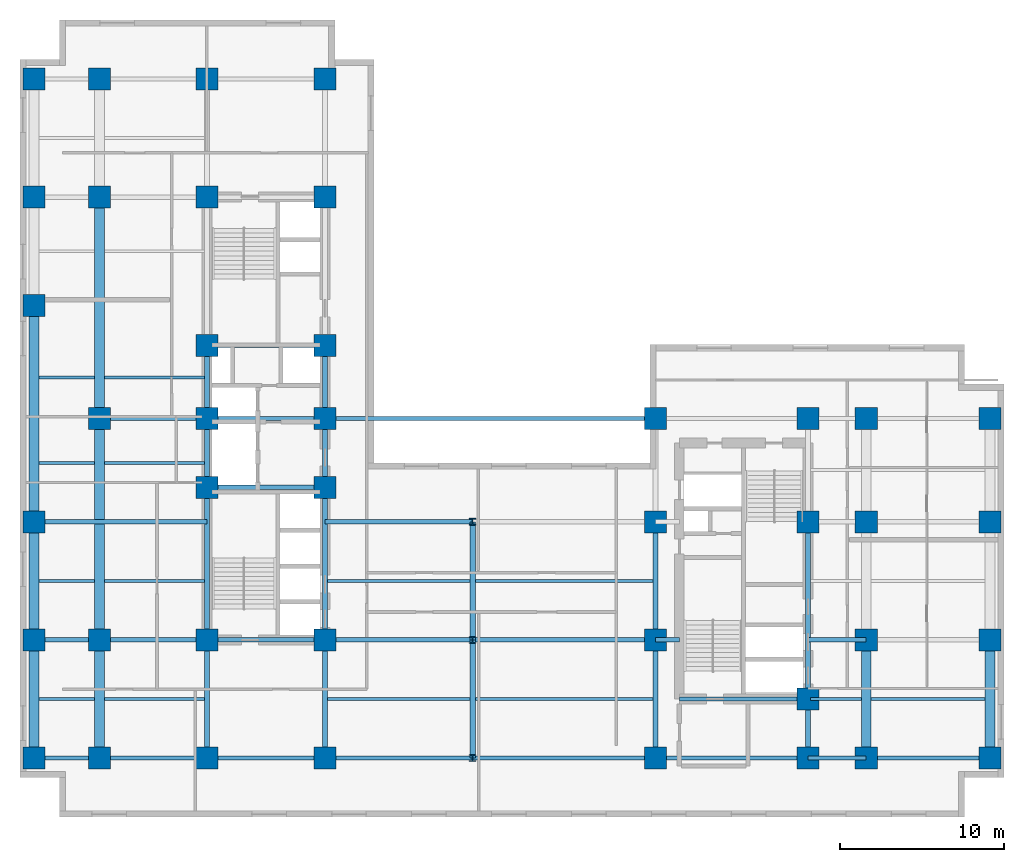
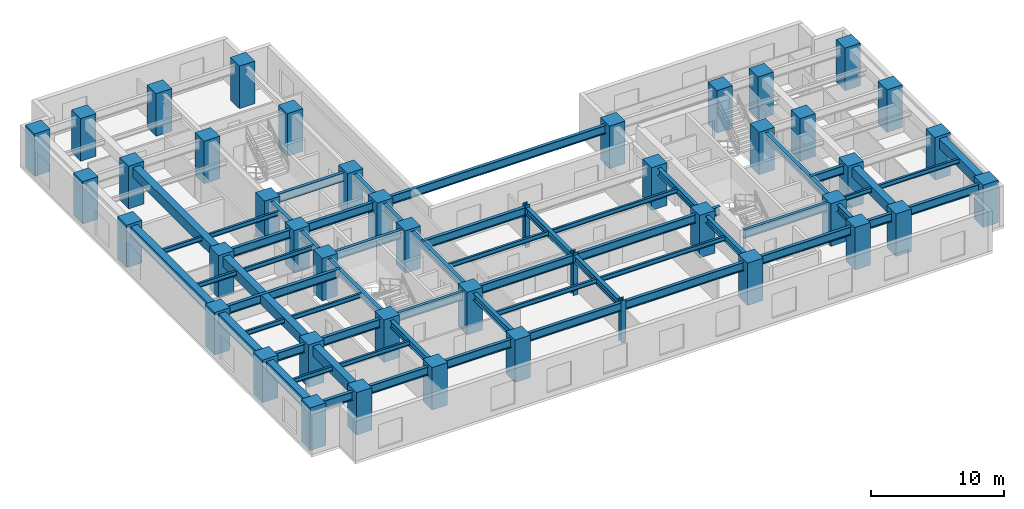
# One storey, part 1 of 9: 59 beams, 44 columns.
"""IFC4 building model written with IfcOpenShell, lengths in metres."""

from ifc_helpers import new_model, entity, si_unit, converted_unit, direction, frame, origin_with_axes, origin_2d_with_axis, place, context, subcontext, project, spatial, rectangle, i_section, extrude, material, material_profile, profile_set, type_object, element, save


model = new_model("IFC4")

# Units and contexts
model_context = context("Model", 3, precision=1e-05, world=origin_with_axes(), true_north=direction((0.0, 1.0)))
body_context = subcontext(model_context, "Body", "Model", "MODEL_VIEW")
ifc_project = project(units=[si_unit("LENGTHUNIT", "METRE"), si_unit("AREAUNIT", "SQUARE_METRE"), si_unit("VOLUMEUNIT", "CUBIC_METRE"), converted_unit("PLANEANGLEUNIT", "DEGREE", entity("IfcPlaneAngleMeasure", 0.017453292519943295), si_unit("PLANEANGLEUNIT", "RADIAN"), dimensions=[0, 0, 0, 0, 0, 0, 0]), si_unit("MASSUNIT", "GRAM", prefix="KILO"), si_unit("THERMODYNAMICTEMPERATUREUNIT", "KELVIN")], contexts=[model_context])

# Site, building, storey
site_placement = place(None, origin_with_axes())
site = spatial("IfcSite", under=ifc_project, at=site_placement, CompositionType="ELEMENT")
building_placement = place(site_placement, origin_with_axes())
building = spatial("IfcBuilding", under=site, at=building_placement, Name="Varnlund Millrace Tower", CompositionType="ELEMENT")
storey_placement = place(building_placement, frame((0.0, 0.0, 36.6), z_axis=(0.0, 0.0, 1.0), x_axis=(1.0, 0.0, 0.0)))
storey = spatial("IfcBuildingStorey", under=building, at=storey_placement, Name="L08", CompositionType="ELEMENT", Elevation=36.6)

# Columns
ifc_material_1 = material(Name="Steel ASTM A913 Grade 65", Category="steel")
ifc_material_profile_1 = material_profile(ifc_material_1, i_section(OverallWidth=0.406, OverallDepth=0.416, WebThickness=0.0298, FlangeThickness=0.048, FilletRadius=0.022, at=origin_2d_with_axis()), Name="Steel ASTM A913 Grade 65")
ifc_profile_set_1 = profile_set([ifc_material_profile_1], Name="Steel ASTM A913 Grade 65")
column_type_1 = type_object("IfcColumnType", Name="Type-Col-Int-W14X257", PredefinedType="COLUMN", material=ifc_profile_set_1)
for number, where, z_axis, x_axis, name in (
    (1, (27.6, 3.6, 0.0), (0.0, 0.0, 1.0), (1.0, 0.0, 0.0), "Type-Col-Int-W14X257"),
    (2, (27.6, 10.8, 0.0), (0.0, 0.0, 1.0), (1.0, 0.0, 0.0), "Type-Col-Int-W14X257"),
    (3, (27.6, 18.0, 0.0), (0.0, 0.0, 1.0), (1.0, 0.0, 0.0), "Type-Col-Int-W14X257"),
):
    element("IfcColumn", number, at=place(storey_placement, frame(where, z_axis=z_axis, x_axis=x_axis)), inside=storey, type_object=column_type_1, Name=name, PredefinedType="COLUMN", context=body_context, shape_type="SweptSolid", body=[
        extrude(i_section(OverallWidth=0.406, OverallDepth=0.416, WebThickness=0.0298, FlangeThickness=0.048, FilletRadius=0.022, at=origin_2d_with_axis()), origin_with_axes(), (0.0, 0.0, 1.0), 3.9),
    ])
ifc_material_2 = material(Name="Concrete C80/95", Category="concrete")
ifc_material_profile_2 = material_profile(ifc_material_2, rectangle(XDim=1.35, YDim=1.35, at=origin_2d_with_axis()), Name="Concrete C80/95")
ifc_profile_set_2 = profile_set([ifc_material_profile_2], Name="Concrete C80/95")
column_type_2 = type_object("IfcColumnType", Name="Type-Col-RC1350-C80", PredefinedType="COLUMN", material=ifc_profile_set_2)
for number, where, z_axis, x_axis, name in (
    (4, (11.4, 3.6, 0.0), (0.0, 0.0, 1.0), (1.0, 0.0, 0.0), "Type-Col-RC1350-C80"),
    (5, (11.4, 10.8, 0.0), (0.0, 0.0, 1.0), (1.0, 0.0, 0.0), "Type-Col-RC1350-C80"),
    (6, (11.4, 20.1, 0.0), (0.0, 0.0, 1.0), (1.0, 0.0, 0.0), "Type-Col-RC1350-C80"),
    (7, (11.4, 24.3, 0.0), (0.0, 0.0, 1.0), (1.0, 0.0, 0.0), "Type-Col-RC1350-C80"),
    (8, (11.4, 28.75, 0.0), (0.0, 0.0, 1.0), (1.0, 0.0, 0.0), "Type-Col-RC1350-C80"),
    (9, (11.4, 37.8, 0.0), (0.0, 0.0, 1.0), (1.0, 0.0, 0.0), "Type-Col-RC1350-C80"),
    (10, (11.4, 45.0, 0.0), (0.0, 0.0, 1.0), (1.0, 0.0, 0.0), "Type-Col-RC1350-C80"),
    (11, (18.6, 3.6, 0.0), (0.0, 0.0, 1.0), (1.0, 0.0, 0.0), "Type-Col-RC1350-C80"),
    (12, (18.6, 10.8, 0.0), (0.0, 0.0, 1.0), (1.0, 0.0, 0.0), "Type-Col-RC1350-C80"),
    (13, (18.6, 20.1, 0.0), (0.0, 0.0, 1.0), (1.0, 0.0, 0.0), "Type-Col-RC1350-C80"),
    (14, (18.6, 24.3, 0.0), (0.0, 0.0, 1.0), (1.0, 0.0, 0.0), "Type-Col-RC1350-C80"),
    (15, (18.6, 28.75, 0.0), (0.0, 0.0, 1.0), (1.0, 0.0, 0.0), "Type-Col-RC1350-C80"),
    (16, (18.6, 37.8, 0.0), (0.0, 0.0, 1.0), (1.0, 0.0, 0.0), "Type-Col-RC1350-C80"),
    (17, (18.6, 45.0, 0.0), (0.0, 0.0, 1.0), (1.0, 0.0, 0.0), "Type-Col-RC1350-C80"),
    (18, (4.85, 3.6, 0.0), (0.0, 0.0, 1.0), (1.0, 0.0, 0.0), "Type-Col-RC1350-C80"),
    (19, (4.85, 10.8, 0.0), (0.0, 0.0, 1.0), (1.0, 0.0, 0.0), "Type-Col-RC1350-C80"),
    (20, (4.85, 24.3, 0.0), (0.0, 0.0, 1.0), (1.0, 0.0, 0.0), "Type-Col-RC1350-C80"),
    (21, (4.85, 37.8, 0.0), (0.0, 0.0, 1.0), (1.0, 0.0, 0.0), "Type-Col-RC1350-C80"),
    (22, (4.85, 45.0, 0.0), (0.0, 0.0, 1.0), (1.0, 0.0, 0.0), "Type-Col-RC1350-C80"),
    (23, (0.85, 3.6, 0.0), (0.0, 0.0, 1.0), (1.0, 0.0, 0.0), "Type-Col-RC1350-C80"),
    (24, (0.85, 10.8, 0.0), (0.0, 0.0, 1.0), (1.0, 0.0, 0.0), "Type-Col-RC1350-C80"),
    (25, (0.85, 18.0, 0.0), (0.0, 0.0, 1.0), (1.0, 0.0, 0.0), "Type-Col-RC1350-C80"),
    (26, (0.85, 31.2, 0.0), (0.0, 0.0, 1.0), (1.0, 0.0, 0.0), "Type-Col-RC1350-C80"),
    (27, (0.85, 37.8, 0.0), (0.0, 0.0, 1.0), (1.0, 0.0, 0.0), "Type-Col-RC1350-C80"),
    (28, (0.85, 45.0, 0.0), (0.0, 0.0, 1.0), (1.0, 0.0, 0.0), "Type-Col-RC1350-C80"),
    (29, (38.75, 3.6, 0.0), (0.0, 0.0, 1.0), (1.0, 0.0, 0.0), "Type-Col-RC1350-C80"),
    (30, (38.75, 10.8, 0.0), (0.0, 0.0, 1.0), (1.0, 0.0, 0.0), "Type-Col-RC1350-C80"),
    (31, (38.75, 18.0, 0.0), (0.0, 0.0, 1.0), (1.0, 0.0, 0.0), "Type-Col-RC1350-C80"),
    (32, (38.75, 24.3, 0.0), (0.0, 0.0, 1.0), (1.0, 0.0, 0.0), "Type-Col-RC1350-C80"),
    (33, (48.05, 3.6, 0.0), (0.0, 0.0, 1.0), (1.0, 0.0, 0.0), "Type-Col-RC1350-C80"),
    (34, (48.05, 7.2, 0.0), (0.0, 0.0, 1.0), (1.0, 0.0, 0.0), "Type-Col-RC1350-C80"),
    (35, (48.05, 18.0, 0.0), (0.0, 0.0, 1.0), (1.0, 0.0, 0.0), "Type-Col-RC1350-C80"),
    (36, (48.05, 24.3, 0.0), (0.0, 0.0, 1.0), (1.0, 0.0, 0.0), "Type-Col-RC1350-C80"),
    (37, (51.6, 3.6, 0.0), (0.0, 0.0, 1.0), (1.0, 0.0, 0.0), "Type-Col-RC1350-C80"),
    (38, (51.6, 10.8, 0.0), (0.0, 0.0, 1.0), (1.0, 0.0, 0.0), "Type-Col-RC1350-C80"),
    (39, (51.6, 18.0, 0.0), (0.0, 0.0, 1.0), (1.0, 0.0, 0.0), "Type-Col-RC1350-C80"),
    (40, (51.6, 24.3, 0.0), (0.0, 0.0, 1.0), (1.0, 0.0, 0.0), "Type-Col-RC1350-C80"),
    (41, (59.15, 3.6, 0.0), (0.0, 0.0, 1.0), (1.0, 0.0, 0.0), "Type-Col-RC1350-C80"),
    (42, (59.15, 10.8, 0.0), (0.0, 0.0, 1.0), (1.0, 0.0, 0.0), "Type-Col-RC1350-C80"),
    (43, (59.15, 18.0, 0.0), (0.0, 0.0, 1.0), (1.0, 0.0, 0.0), "Type-Col-RC1350-C80"),
    (44, (59.15, 24.3, 0.0), (0.0, 0.0, 1.0), (1.0, 0.0, 0.0), "Type-Col-RC1350-C80"),
):
    element("IfcColumn", number, at=place(storey_placement, frame(where, z_axis=z_axis, x_axis=x_axis)), inside=storey, type_object=column_type_2, Name=name, PredefinedType="COLUMN", context=body_context, shape_type="SweptSolid", body=[
        extrude(rectangle(XDim=1.35, YDim=1.35, at=origin_2d_with_axis()), origin_with_axes(), (0.0, 0.0, 1.0), 3.9),
    ])

# Beams
ifc_material_3 = material(Name="Steel ASTM A992 Grade 50", Category="steel")
ifc_material_profile_3 = material_profile(ifc_material_3, i_section(OverallWidth=0.328, OverallDepth=0.628, WebThickness=0.0165, FlangeThickness=0.0277, FilletRadius=0.018, at=origin_2d_with_axis()), Name="Steel ASTM A992 Grade 50")
ifc_profile_set_3 = profile_set([ifc_material_profile_3], Name="Steel ASTM A992 Grade 50")
beam_type_1 = type_object("IfcBeamType", Name="Type-Girder-W24X146", PredefinedType="USERDEFINED", material=ifc_profile_set_3)
beam_1_placement = place(storey_placement, frame((11.4, 3.6, 3.346), z_axis=(0.0, 1.0, 0.0), x_axis=(-1.0, 0.0, 0.0)))
element("IfcBeam", 45, at=beam_1_placement, inside=storey, type_object=beam_type_1, Name="Type-Girder-W24X146", ObjectType="GIRDER", PredefinedType="USERDEFINED", context=body_context, shape_type="SweptSolid", body=[
    extrude(i_section(OverallWidth=0.328, OverallDepth=0.628, WebThickness=0.0165, FlangeThickness=0.0277, FilletRadius=0.018, at=origin_2d_with_axis()), origin_with_axes(), (0.0, 0.0, 1.0), 7.2),
])
beam_2_placement = place(storey_placement, frame((11.4, 10.8, 3.346), z_axis=(0.0, 1.0, 0.0), x_axis=(-1.0, 0.0, 0.0)))
element("IfcBeam", 46, at=beam_2_placement, inside=storey, type_object=beam_type_1, Name="Type-Girder-W24X146", ObjectType="GIRDER", PredefinedType="USERDEFINED", context=body_context, shape_type="SweptSolid", body=[
    extrude(i_section(OverallWidth=0.328, OverallDepth=0.628, WebThickness=0.0165, FlangeThickness=0.0277, FilletRadius=0.018, at=origin_2d_with_axis()), origin_with_axes(), (0.0, 0.0, 1.0), 9.3),
])
beam_3_placement = place(storey_placement, frame((11.4, 20.1, 3.346), z_axis=(0.0, 1.0, 0.0), x_axis=(-1.0, 0.0, 0.0)))
element("IfcBeam", 47, at=beam_3_placement, inside=storey, type_object=beam_type_1, Name="Type-Girder-W24X146", ObjectType="GIRDER", PredefinedType="USERDEFINED", context=body_context, shape_type="SweptSolid", body=[
    extrude(i_section(OverallWidth=0.328, OverallDepth=0.628, WebThickness=0.0165, FlangeThickness=0.0277, FilletRadius=0.018, at=origin_2d_with_axis()), origin_with_axes(), (0.0, 0.0, 1.0), 4.2),
])
beam_4_placement = place(storey_placement, frame((11.4, 24.3, 3.346), z_axis=(0.0, 1.0, 0.0), x_axis=(-1.0, 0.0, 0.0)))
element("IfcBeam", 48, at=beam_4_placement, inside=storey, type_object=beam_type_1, Name="Type-Girder-W24X146", ObjectType="GIRDER", PredefinedType="USERDEFINED", context=body_context, shape_type="SweptSolid", body=[
    extrude(i_section(OverallWidth=0.328, OverallDepth=0.628, WebThickness=0.0165, FlangeThickness=0.0277, FilletRadius=0.018, at=origin_2d_with_axis()), origin_with_axes(), (0.0, 0.0, 1.0), 4.45),
])
beam_5_placement = place(storey_placement, frame((18.6, 3.6, 3.346), z_axis=(0.0, 1.0, 0.0), x_axis=(-1.0, 0.0, 0.0)))
element("IfcBeam", 49, at=beam_5_placement, inside=storey, type_object=beam_type_1, Name="Type-Girder-W24X146", ObjectType="GIRDER", PredefinedType="USERDEFINED", context=body_context, shape_type="SweptSolid", body=[
    extrude(i_section(OverallWidth=0.328, OverallDepth=0.628, WebThickness=0.0165, FlangeThickness=0.0277, FilletRadius=0.018, at=origin_2d_with_axis()), origin_with_axes(), (0.0, 0.0, 1.0), 7.2),
])
beam_6_placement = place(storey_placement, frame((18.6, 10.8, 3.346), z_axis=(0.0, 1.0, 0.0), x_axis=(-1.0, 0.0, 0.0)))
element("IfcBeam", 50, at=beam_6_placement, inside=storey, type_object=beam_type_1, Name="Type-Girder-W24X146", ObjectType="GIRDER", PredefinedType="USERDEFINED", context=body_context, shape_type="SweptSolid", body=[
    extrude(i_section(OverallWidth=0.328, OverallDepth=0.628, WebThickness=0.0165, FlangeThickness=0.0277, FilletRadius=0.018, at=origin_2d_with_axis()), origin_with_axes(), (0.0, 0.0, 1.0), 9.3),
])
beam_7_placement = place(storey_placement, frame((18.6, 20.1, 3.346), z_axis=(0.0, 1.0, 0.0), x_axis=(-1.0, 0.0, 0.0)))
element("IfcBeam", 51, at=beam_7_placement, inside=storey, type_object=beam_type_1, Name="Type-Girder-W24X146", ObjectType="GIRDER", PredefinedType="USERDEFINED", context=body_context, shape_type="SweptSolid", body=[
    extrude(i_section(OverallWidth=0.328, OverallDepth=0.628, WebThickness=0.0165, FlangeThickness=0.0277, FilletRadius=0.018, at=origin_2d_with_axis()), origin_with_axes(), (0.0, 0.0, 1.0), 4.2),
])
beam_8_placement = place(storey_placement, frame((18.6, 24.3, 3.346), z_axis=(0.0, 1.0, 0.0), x_axis=(-1.0, 0.0, 0.0)))
element("IfcBeam", 52, at=beam_8_placement, inside=storey, type_object=beam_type_1, Name="Type-Girder-W24X146", ObjectType="GIRDER", PredefinedType="USERDEFINED", context=body_context, shape_type="SweptSolid", body=[
    extrude(i_section(OverallWidth=0.328, OverallDepth=0.628, WebThickness=0.0165, FlangeThickness=0.0277, FilletRadius=0.018, at=origin_2d_with_axis()), origin_with_axes(), (0.0, 0.0, 1.0), 4.45),
])
for number, where, z_axis, x_axis, name in (
    (53, (27.6, 3.6, 3.346), (0.0, 1.0, 0.0), (-1.0, 0.0, 0.0), "Type-Girder-W24X146"),
    (54, (27.6, 10.8, 3.346), (0.0, 1.0, 0.0), (-1.0, 0.0, 0.0), "Type-Girder-W24X146"),
    (55, (38.75, 3.6, 3.346), (0.0, 1.0, 0.0), (-1.0, 0.0, 0.0), "Type-Girder-W24X146"),
    (56, (38.75, 10.8, 3.346), (0.0, 1.0, 0.0), (-1.0, 0.0, 0.0), "Type-Girder-W24X146"),
):
    element("IfcBeam", number, at=place(storey_placement, frame(where, z_axis=z_axis, x_axis=x_axis)), inside=storey, type_object=beam_type_1, Name=name, ObjectType="GIRDER", PredefinedType="USERDEFINED", context=body_context, shape_type="SweptSolid", body=[
        extrude(i_section(OverallWidth=0.328, OverallDepth=0.628, WebThickness=0.0165, FlangeThickness=0.0277, FilletRadius=0.018, at=origin_2d_with_axis()), origin_with_axes(), (0.0, 0.0, 1.0), 7.2),
    ])
beam_9_placement = place(storey_placement, frame((48.05, 3.6, 3.346), z_axis=(0.0, 1.0, 0.0), x_axis=(-1.0, 0.0, 0.0)))
element("IfcBeam", 57, at=beam_9_placement, inside=storey, type_object=beam_type_1, Name="Type-Girder-W24X146", ObjectType="GIRDER", PredefinedType="USERDEFINED", context=body_context, shape_type="SweptSolid", body=[
    extrude(i_section(OverallWidth=0.328, OverallDepth=0.628, WebThickness=0.0165, FlangeThickness=0.0277, FilletRadius=0.018, at=origin_2d_with_axis()), origin_with_axes(), (0.0, 0.0, 1.0), 3.6),
])
beam_10_placement = place(storey_placement, frame((48.05, 7.2, 3.346), z_axis=(0.0, 1.0, 0.0), x_axis=(-1.0, 0.0, 0.0)))
element("IfcBeam", 58, at=beam_10_placement, inside=storey, type_object=beam_type_1, Name="Type-Girder-W24X146", ObjectType="GIRDER", PredefinedType="USERDEFINED", context=body_context, shape_type="SweptSolid", body=[
    extrude(i_section(OverallWidth=0.328, OverallDepth=0.628, WebThickness=0.0165, FlangeThickness=0.0277, FilletRadius=0.018, at=origin_2d_with_axis()), origin_with_axes(), (0.0, 0.0, 1.0), 10.8),
])
ifc_material_profile_4 = material_profile(ifc_material_3, i_section(OverallWidth=0.266, OverallDepth=0.779, WebThickness=0.0165, FlangeThickness=0.03, FilletRadius=0.02, at=origin_2d_with_axis()), Name="Steel ASTM A992 Grade 50")
ifc_profile_set_4 = profile_set([ifc_material_profile_4], Name="Steel ASTM A992 Grade 50")
beam_type_2 = type_object("IfcBeamType", Name="Type-Girder-W30X148", PredefinedType="USERDEFINED", material=ifc_profile_set_4)
beam_11_placement = place(storey_placement, frame((0.85, 3.6, 3.2705), z_axis=(1.0, 0.0, 0.0), x_axis=(0.0, 1.0, 0.0)))
element("IfcBeam", 59, at=beam_11_placement, inside=storey, type_object=beam_type_2, Name="Type-Girder-W30X148", ObjectType="GIRDER", PredefinedType="USERDEFINED", context=body_context, shape_type="SweptSolid", body=[
    extrude(i_section(OverallWidth=0.266, OverallDepth=0.779, WebThickness=0.0165, FlangeThickness=0.03, FilletRadius=0.02, at=origin_2d_with_axis()), origin_with_axes(), (0.0, 0.0, 1.0), 4.0),
])
beam_12_placement = place(storey_placement, frame((4.85, 3.6, 3.2705), z_axis=(1.0, 0.0, 0.0), x_axis=(0.0, 1.0, 0.0)))
element("IfcBeam", 60, at=beam_12_placement, inside=storey, type_object=beam_type_2, Name="Type-Girder-W30X148", ObjectType="GIRDER", PredefinedType="USERDEFINED", context=body_context, shape_type="SweptSolid", body=[
    extrude(i_section(OverallWidth=0.266, OverallDepth=0.779, WebThickness=0.0165, FlangeThickness=0.03, FilletRadius=0.02, at=origin_2d_with_axis()), origin_with_axes(), (0.0, 0.0, 1.0), 6.55),
])
beam_13_placement = place(storey_placement, frame((11.4, 3.6, 3.2705), z_axis=(1.0, 0.0, 0.0), x_axis=(0.0, 1.0, 0.0)))
element("IfcBeam", 61, at=beam_13_placement, inside=storey, type_object=beam_type_2, Name="Type-Girder-W30X148", ObjectType="GIRDER", PredefinedType="USERDEFINED", context=body_context, shape_type="SweptSolid", body=[
    extrude(i_section(OverallWidth=0.266, OverallDepth=0.779, WebThickness=0.0165, FlangeThickness=0.03, FilletRadius=0.02, at=origin_2d_with_axis()), origin_with_axes(), (0.0, 0.0, 1.0), 7.2),
])
beam_14_placement = place(storey_placement, frame((18.6, 3.6, 3.2705), z_axis=(1.0, 0.0, 0.0), x_axis=(0.0, 1.0, 0.0)))
element("IfcBeam", 62, at=beam_14_placement, inside=storey, type_object=beam_type_2, Name="Type-Girder-W30X148", ObjectType="GIRDER", PredefinedType="USERDEFINED", context=body_context, shape_type="SweptSolid", body=[
    extrude(i_section(OverallWidth=0.266, OverallDepth=0.779, WebThickness=0.0165, FlangeThickness=0.03, FilletRadius=0.02, at=origin_2d_with_axis()), origin_with_axes(), (0.0, 0.0, 1.0), 9.0),
])
beam_15_placement = place(storey_placement, frame((27.6, 3.6, 3.2705), z_axis=(1.0, 0.0, 0.0), x_axis=(0.0, 1.0, 0.0)))
element("IfcBeam", 63, at=beam_15_placement, inside=storey, type_object=beam_type_2, Name="Type-Girder-W30X148", ObjectType="GIRDER", PredefinedType="USERDEFINED", context=body_context, shape_type="SweptSolid", body=[
    extrude(i_section(OverallWidth=0.266, OverallDepth=0.779, WebThickness=0.0165, FlangeThickness=0.03, FilletRadius=0.02, at=origin_2d_with_axis()), origin_with_axes(), (0.0, 0.0, 1.0), 11.15),
])
beam_16_placement = place(storey_placement, frame((38.75, 3.6, 3.2705), z_axis=(1.0, 0.0, 0.0), x_axis=(0.0, 1.0, 0.0)))
element("IfcBeam", 64, at=beam_16_placement, inside=storey, type_object=beam_type_2, Name="Type-Girder-W30X148", ObjectType="GIRDER", PredefinedType="USERDEFINED", context=body_context, shape_type="SweptSolid", body=[
    extrude(i_section(OverallWidth=0.266, OverallDepth=0.779, WebThickness=0.0165, FlangeThickness=0.03, FilletRadius=0.02, at=origin_2d_with_axis()), origin_with_axes(), (0.0, 0.0, 1.0), 9.3),
])
beam_17_placement = place(storey_placement, frame((48.05, 3.6, 3.2705), z_axis=(1.0, 0.0, 0.0), x_axis=(0.0, 1.0, 0.0)))
element("IfcBeam", 65, at=beam_17_placement, inside=storey, type_object=beam_type_2, Name="Type-Girder-W30X148", ObjectType="GIRDER", PredefinedType="USERDEFINED", context=body_context, shape_type="SweptSolid", body=[
    extrude(i_section(OverallWidth=0.266, OverallDepth=0.779, WebThickness=0.0165, FlangeThickness=0.03, FilletRadius=0.02, at=origin_2d_with_axis()), origin_with_axes(), (0.0, 0.0, 1.0), 3.55),
])
beam_18_placement = place(storey_placement, frame((51.6, 3.6, 3.2705), z_axis=(1.0, 0.0, 0.0), x_axis=(0.0, 1.0, 0.0)))
element("IfcBeam", 66, at=beam_18_placement, inside=storey, type_object=beam_type_2, Name="Type-Girder-W30X148", ObjectType="GIRDER", PredefinedType="USERDEFINED", context=body_context, shape_type="SweptSolid", body=[
    extrude(i_section(OverallWidth=0.266, OverallDepth=0.779, WebThickness=0.0165, FlangeThickness=0.03, FilletRadius=0.02, at=origin_2d_with_axis()), origin_with_axes(), (0.0, 0.0, 1.0), 7.55),
])
beam_19_placement = place(storey_placement, frame((40.2, 7.2, 3.2705), z_axis=(1.0, 0.0, 0.0), x_axis=(0.0, 1.0, 0.0)))
element("IfcBeam", 67, at=beam_19_placement, inside=storey, type_object=beam_type_2, Name="Type-Girder-W30X148", ObjectType="GIRDER", PredefinedType="USERDEFINED", context=body_context, shape_type="SweptSolid", body=[
    extrude(i_section(OverallWidth=0.266, OverallDepth=0.779, WebThickness=0.0165, FlangeThickness=0.03, FilletRadius=0.02, at=origin_2d_with_axis()), origin_with_axes(), (0.0, 0.0, 1.0), 7.85),
])
beam_20_placement = place(storey_placement, frame((0.85, 10.8, 3.2705), z_axis=(1.0, 0.0, 0.0), x_axis=(0.0, 1.0, 0.0)))
element("IfcBeam", 68, at=beam_20_placement, inside=storey, type_object=beam_type_2, Name="Type-Girder-W30X148", ObjectType="GIRDER", PredefinedType="USERDEFINED", context=body_context, shape_type="SweptSolid", body=[
    extrude(i_section(OverallWidth=0.266, OverallDepth=0.779, WebThickness=0.0165, FlangeThickness=0.03, FilletRadius=0.02, at=origin_2d_with_axis()), origin_with_axes(), (0.0, 0.0, 1.0), 4.0),
])
beam_21_placement = place(storey_placement, frame((4.85, 10.8, 3.2705), z_axis=(1.0, 0.0, 0.0), x_axis=(0.0, 1.0, 0.0)))
element("IfcBeam", 69, at=beam_21_placement, inside=storey, type_object=beam_type_2, Name="Type-Girder-W30X148", ObjectType="GIRDER", PredefinedType="USERDEFINED", context=body_context, shape_type="SweptSolid", body=[
    extrude(i_section(OverallWidth=0.266, OverallDepth=0.779, WebThickness=0.0165, FlangeThickness=0.03, FilletRadius=0.02, at=origin_2d_with_axis()), origin_with_axes(), (0.0, 0.0, 1.0), 6.55),
])
beam_22_placement = place(storey_placement, frame((11.4, 10.8, 3.2705), z_axis=(1.0, 0.0, 0.0), x_axis=(0.0, 1.0, 0.0)))
element("IfcBeam", 70, at=beam_22_placement, inside=storey, type_object=beam_type_2, Name="Type-Girder-W30X148", ObjectType="GIRDER", PredefinedType="USERDEFINED", context=body_context, shape_type="SweptSolid", body=[
    extrude(i_section(OverallWidth=0.266, OverallDepth=0.779, WebThickness=0.0165, FlangeThickness=0.03, FilletRadius=0.02, at=origin_2d_with_axis()), origin_with_axes(), (0.0, 0.0, 1.0), 7.2),
])
beam_23_placement = place(storey_placement, frame((18.6, 10.8, 3.2705), z_axis=(1.0, 0.0, 0.0), x_axis=(0.0, 1.0, 0.0)))
element("IfcBeam", 71, at=beam_23_placement, inside=storey, type_object=beam_type_2, Name="Type-Girder-W30X148", ObjectType="GIRDER", PredefinedType="USERDEFINED", context=body_context, shape_type="SweptSolid", body=[
    extrude(i_section(OverallWidth=0.266, OverallDepth=0.779, WebThickness=0.0165, FlangeThickness=0.03, FilletRadius=0.02, at=origin_2d_with_axis()), origin_with_axes(), (0.0, 0.0, 1.0), 9.0),
])
beam_24_placement = place(storey_placement, frame((27.6, 10.8, 3.2705), z_axis=(1.0, 0.0, 0.0), x_axis=(0.0, 1.0, 0.0)))
element("IfcBeam", 72, at=beam_24_placement, inside=storey, type_object=beam_type_2, Name="Type-Girder-W30X148", ObjectType="GIRDER", PredefinedType="USERDEFINED", context=body_context, shape_type="SweptSolid", body=[
    extrude(i_section(OverallWidth=0.266, OverallDepth=0.779, WebThickness=0.0165, FlangeThickness=0.03, FilletRadius=0.02, at=origin_2d_with_axis()), origin_with_axes(), (0.0, 0.0, 1.0), 11.15),
])
beam_25_placement = place(storey_placement, frame((38.75, 10.8, 3.2705), z_axis=(1.0, 0.0, 0.0), x_axis=(0.0, 1.0, 0.0)))
element("IfcBeam", 73, at=beam_25_placement, inside=storey, type_object=beam_type_2, Name="Type-Girder-W30X148", ObjectType="GIRDER", PredefinedType="USERDEFINED", context=body_context, shape_type="SweptSolid", body=[
    extrude(i_section(OverallWidth=0.266, OverallDepth=0.779, WebThickness=0.0165, FlangeThickness=0.03, FilletRadius=0.02, at=origin_2d_with_axis()), origin_with_axes(), (0.0, 0.0, 1.0), 1.45),
])
beam_26_placement = place(storey_placement, frame((48.05, 10.8, 3.2705), z_axis=(1.0, 0.0, 0.0), x_axis=(0.0, 1.0, 0.0)))
element("IfcBeam", 74, at=beam_26_placement, inside=storey, type_object=beam_type_2, Name="Type-Girder-W30X148", ObjectType="GIRDER", PredefinedType="USERDEFINED", context=body_context, shape_type="SweptSolid", body=[
    extrude(i_section(OverallWidth=0.266, OverallDepth=0.779, WebThickness=0.0165, FlangeThickness=0.03, FilletRadius=0.02, at=origin_2d_with_axis()), origin_with_axes(), (0.0, 0.0, 1.0), 3.55),
])
beam_27_placement = place(storey_placement, frame((0.85, 18.0, 3.2705), z_axis=(1.0, 0.0, 0.0), x_axis=(0.0, 1.0, 0.0)))
element("IfcBeam", 75, at=beam_27_placement, inside=storey, type_object=beam_type_2, Name="Type-Girder-W30X148", ObjectType="GIRDER", PredefinedType="USERDEFINED", context=body_context, shape_type="SweptSolid", body=[
    extrude(i_section(OverallWidth=0.266, OverallDepth=0.779, WebThickness=0.0165, FlangeThickness=0.03, FilletRadius=0.02, at=origin_2d_with_axis()), origin_with_axes(), (0.0, 0.0, 1.0), 10.55),
])
beam_28_placement = place(storey_placement, frame((18.6, 18.0, 3.2705), z_axis=(1.0, 0.0, 0.0), x_axis=(0.0, 1.0, 0.0)))
element("IfcBeam", 76, at=beam_28_placement, inside=storey, type_object=beam_type_2, Name="Type-Girder-W30X148", ObjectType="GIRDER", PredefinedType="USERDEFINED", context=body_context, shape_type="SweptSolid", body=[
    extrude(i_section(OverallWidth=0.266, OverallDepth=0.779, WebThickness=0.0165, FlangeThickness=0.03, FilletRadius=0.02, at=origin_2d_with_axis()), origin_with_axes(), (0.0, 0.0, 1.0), 9.0),
])
beam_29_placement = place(storey_placement, frame((11.4, 20.1, 3.2705), z_axis=(1.0, 0.0, 0.0), x_axis=(0.0, 1.0, 0.0)))
element("IfcBeam", 77, at=beam_29_placement, inside=storey, type_object=beam_type_2, Name="Type-Girder-W30X148", ObjectType="GIRDER", PredefinedType="USERDEFINED", context=body_context, shape_type="SweptSolid", body=[
    extrude(i_section(OverallWidth=0.266, OverallDepth=0.779, WebThickness=0.0165, FlangeThickness=0.03, FilletRadius=0.02, at=origin_2d_with_axis()), origin_with_axes(), (0.0, 0.0, 1.0), 7.2),
])
beam_30_placement = place(storey_placement, frame((4.85, 24.3, 3.2705), z_axis=(1.0, 0.0, 0.0), x_axis=(0.0, 1.0, 0.0)))
element("IfcBeam", 78, at=beam_30_placement, inside=storey, type_object=beam_type_2, Name="Type-Girder-W30X148", ObjectType="GIRDER", PredefinedType="USERDEFINED", context=body_context, shape_type="SweptSolid", body=[
    extrude(i_section(OverallWidth=0.266, OverallDepth=0.779, WebThickness=0.0165, FlangeThickness=0.03, FilletRadius=0.02, at=origin_2d_with_axis()), origin_with_axes(), (0.0, 0.0, 1.0), 6.55),
])
beam_31_placement = place(storey_placement, frame((11.4, 24.3, 3.2705), z_axis=(1.0, 0.0, 0.0), x_axis=(0.0, 1.0, 0.0)))
element("IfcBeam", 79, at=beam_31_placement, inside=storey, type_object=beam_type_2, Name="Type-Girder-W30X148", ObjectType="GIRDER", PredefinedType="USERDEFINED", context=body_context, shape_type="SweptSolid", body=[
    extrude(i_section(OverallWidth=0.266, OverallDepth=0.779, WebThickness=0.0165, FlangeThickness=0.03, FilletRadius=0.02, at=origin_2d_with_axis()), origin_with_axes(), (0.0, 0.0, 1.0), 7.2),
])
beam_32_placement = place(storey_placement, frame((18.6, 24.3, 3.2705), z_axis=(1.0, 0.0, 0.0), x_axis=(0.0, 1.0, 0.0)))
element("IfcBeam", 80, at=beam_32_placement, inside=storey, type_object=beam_type_2, Name="Type-Girder-W30X148", ObjectType="GIRDER", PredefinedType="USERDEFINED", context=body_context, shape_type="SweptSolid", body=[
    extrude(i_section(OverallWidth=0.266, OverallDepth=0.779, WebThickness=0.0165, FlangeThickness=0.03, FilletRadius=0.02, at=origin_2d_with_axis()), origin_with_axes(), (0.0, 0.0, 1.0), 20.15),
])
beam_33_placement = place(storey_placement, frame((11.4, 28.75, 3.2705), z_axis=(1.0, 0.0, 0.0), x_axis=(0.0, 1.0, 0.0)))
element("IfcBeam", 81, at=beam_33_placement, inside=storey, type_object=beam_type_2, Name="Type-Girder-W30X148", ObjectType="GIRDER", PredefinedType="USERDEFINED", context=body_context, shape_type="SweptSolid", body=[
    extrude(i_section(OverallWidth=0.266, OverallDepth=0.779, WebThickness=0.0165, FlangeThickness=0.03, FilletRadius=0.02, at=origin_2d_with_axis()), origin_with_axes(), (0.0, 0.0, 1.0), 7.2),
])
ifc_material_profile_5 = material_profile(ifc_material_3, i_section(OverallWidth=0.181, OverallDepth=0.417, WebThickness=0.0109, FlangeThickness=0.0182, FilletRadius=0.013, at=origin_2d_with_axis()), Name="Steel ASTM A992 Grade 50")
ifc_profile_set_5 = profile_set([ifc_material_profile_5], Name="Steel ASTM A992 Grade 50")
beam_type_3 = type_object("IfcBeamType", Name="Type-Joist-W16X57", PredefinedType="JOIST", material=ifc_profile_set_5)
for number, where, z_axis, x_axis, name in (
    (82, (1.15, 7.2, 3.4515), (1.0, 0.0, 0.0), (0.0, 1.0, 0.0), "Type-Joist-W16X57"),
    (83, (1.15, 14.4, 3.4515), (1.0, 0.0, 0.0), (0.0, 1.0, 0.0), "Type-Joist-W16X57"),
    (84, (1.15, 21.6, 3.4515), (1.0, 0.0, 0.0), (0.0, 1.0, 0.0), "Type-Joist-W16X57"),
    (85, (1.15, 26.8, 3.4515), (1.0, 0.0, 0.0), (0.0, 1.0, 0.0), "Type-Joist-W16X57"),
):
    element("IfcBeam", number, at=place(storey_placement, frame(where, z_axis=z_axis, x_axis=x_axis)), inside=storey, type_object=beam_type_3, Name=name, PredefinedType="JOIST", context=body_context, shape_type="SweptSolid", body=[
        extrude(i_section(OverallWidth=0.181, OverallDepth=0.417, WebThickness=0.0109, FlangeThickness=0.0182, FilletRadius=0.013, at=origin_2d_with_axis()), origin_with_axes(), (0.0, 0.0, 1.0), 3.4),
    ])
for number, where, z_axis, x_axis, name in (
    (86, (5.15, 7.2, 3.4515), (1.0, 0.0, 0.0), (0.0, 1.0, 0.0), "Type-Joist-W16X57"),
    (87, (5.15, 14.4, 3.4515), (1.0, 0.0, 0.0), (0.0, 1.0, 0.0), "Type-Joist-W16X57"),
    (88, (5.15, 21.6, 3.4515), (1.0, 0.0, 0.0), (0.0, 1.0, 0.0), "Type-Joist-W16X57"),
    (89, (5.15, 26.8, 3.4515), (1.0, 0.0, 0.0), (0.0, 1.0, 0.0), "Type-Joist-W16X57"),
):
    element("IfcBeam", number, at=place(storey_placement, frame(where, z_axis=z_axis, x_axis=x_axis)), inside=storey, type_object=beam_type_3, Name=name, PredefinedType="JOIST", context=body_context, shape_type="SweptSolid", body=[
        extrude(i_section(OverallWidth=0.181, OverallDepth=0.417, WebThickness=0.0109, FlangeThickness=0.0182, FilletRadius=0.013, at=origin_2d_with_axis()), origin_with_axes(), (0.0, 0.0, 1.0), 6.086),
    ])
beam_34_placement = place(storey_placement, frame((48.214, 7.2, 3.4515), z_axis=(1.0, 0.0, 0.0), x_axis=(0.0, 1.0, 0.0)))
element("IfcBeam", 90, at=beam_34_placement, inside=storey, type_object=beam_type_3, Name="Type-Joist-W16X57", PredefinedType="JOIST", context=body_context, shape_type="SweptSolid", body=[
    extrude(i_section(OverallWidth=0.181, OverallDepth=0.417, WebThickness=0.0109, FlangeThickness=0.0182, FilletRadius=0.013, at=origin_2d_with_axis()), origin_with_axes(), (0.0, 0.0, 1.0), 3.086),
])
beam_35_placement = place(storey_placement, frame((51.9, 7.2, 3.4515), z_axis=(1.0, 0.0, 0.0), x_axis=(0.0, 1.0, 0.0)))
element("IfcBeam", 91, at=beam_35_placement, inside=storey, type_object=beam_type_3, Name="Type-Joist-W16X57", PredefinedType="JOIST", context=body_context, shape_type="SweptSolid", body=[
    extrude(i_section(OverallWidth=0.181, OverallDepth=0.417, WebThickness=0.0109, FlangeThickness=0.0182, FilletRadius=0.013, at=origin_2d_with_axis()), origin_with_axes(), (0.0, 0.0, 1.0), 6.95),
])
for number, where, z_axis, x_axis, name in (
    (92, (18.764, 7.2, 3.4515), (1.0, 0.0, 0.0), (0.0, 1.0, 0.0), "Type-Joist-W16X57"),
    (93, (18.764, 14.4, 3.4515), (1.0, 0.0, 0.0), (0.0, 1.0, 0.0), "Type-Joist-W16X57"),
):
    element("IfcBeam", number, at=place(storey_placement, frame(where, z_axis=z_axis, x_axis=x_axis)), inside=storey, type_object=beam_type_3, Name=name, PredefinedType="JOIST", context=body_context, shape_type="SweptSolid", body=[
        extrude(i_section(OverallWidth=0.181, OverallDepth=0.417, WebThickness=0.0109, FlangeThickness=0.0182, FilletRadius=0.013, at=origin_2d_with_axis()), origin_with_axes(), (0.0, 0.0, 1.0), 8.672),
    ])
for number, where, z_axis, x_axis, name in (
    (94, (27.764, 7.2, 3.4515), (1.0, 0.0, 0.0), (0.0, 1.0, 0.0), "Type-Joist-W16X57"),
    (95, (27.764, 14.4, 3.4515), (1.0, 0.0, 0.0), (0.0, 1.0, 0.0), "Type-Joist-W16X57"),
):
    element("IfcBeam", number, at=place(storey_placement, frame(where, z_axis=z_axis, x_axis=x_axis)), inside=storey, type_object=beam_type_3, Name=name, PredefinedType="JOIST", context=body_context, shape_type="SweptSolid", body=[
        extrude(i_section(OverallWidth=0.181, OverallDepth=0.417, WebThickness=0.0109, FlangeThickness=0.0182, FilletRadius=0.013, at=origin_2d_with_axis()), origin_with_axes(), (0.0, 0.0, 1.0), 10.822),
    ])
ifc_material_4 = material(Name="Concrete C70/85", Category="concrete")
ifc_material_profile_6 = material_profile(ifc_material_4, rectangle(XDim=0.6, YDim=0.9, at=origin_2d_with_axis()), Name="Concrete C70/85")
ifc_profile_set_6 = profile_set([ifc_material_profile_6], Name="Concrete C70/85")
beam_type_4 = type_object("IfcBeamType", Name="Type-Spandrel-RC600X900", PredefinedType="SPANDREL", material=ifc_profile_set_6)
for number, where, z_axis, x_axis, name in (
    (96, (0.85, 3.6, 3.21), (0.0, 1.0, 0.0), (-1.0, 0.0, 0.0), "Type-Spandrel-RC600X900"),
    (97, (0.85, 10.8, 3.21), (0.0, 1.0, 0.0), (-1.0, 0.0, 0.0), "Type-Spandrel-RC600X900"),
):
    element("IfcBeam", number, at=place(storey_placement, frame(where, z_axis=z_axis, x_axis=x_axis)), inside=storey, type_object=beam_type_4, Name=name, PredefinedType="SPANDREL", context=body_context, shape_type="SweptSolid", body=[
        extrude(rectangle(XDim=0.6, YDim=0.9, at=origin_2d_with_axis()), origin_with_axes(), (0.0, 0.0, 1.0), 7.2),
    ])
beam_36_placement = place(storey_placement, frame((0.85, 18.0, 3.21), z_axis=(0.0, 1.0, 0.0), x_axis=(-1.0, 0.0, 0.0)))
element("IfcBeam", 98, at=beam_36_placement, inside=storey, type_object=beam_type_4, Name="Type-Spandrel-RC600X900", PredefinedType="SPANDREL", context=body_context, shape_type="SweptSolid", body=[
    extrude(rectangle(XDim=0.6, YDim=0.9, at=origin_2d_with_axis()), origin_with_axes(), (0.0, 0.0, 1.0), 13.2),
])
beam_37_placement = place(storey_placement, frame((4.85, 3.6, 3.21), z_axis=(0.0, 1.0, 0.0), x_axis=(-1.0, 0.0, 0.0)))
element("IfcBeam", 99, at=beam_37_placement, inside=storey, type_object=beam_type_4, Name="Type-Spandrel-RC600X900", PredefinedType="SPANDREL", context=body_context, shape_type="SweptSolid", body=[
    extrude(rectangle(XDim=0.6, YDim=0.9, at=origin_2d_with_axis()), origin_with_axes(), (0.0, 0.0, 1.0), 7.2),
])
for number, where, z_axis, x_axis, name in (
    (100, (4.85, 10.8, 3.21), (0.0, 1.0, 0.0), (-1.0, 0.0, 0.0), "Type-Spandrel-RC600X900"),
    (101, (4.85, 24.3, 3.21), (0.0, 1.0, 0.0), (-1.0, 0.0, 0.0), "Type-Spandrel-RC600X900"),
):
    element("IfcBeam", number, at=place(storey_placement, frame(where, z_axis=z_axis, x_axis=x_axis)), inside=storey, type_object=beam_type_4, Name=name, PredefinedType="SPANDREL", context=body_context, shape_type="SweptSolid", body=[
        extrude(rectangle(XDim=0.6, YDim=0.9, at=origin_2d_with_axis()), origin_with_axes(), (0.0, 0.0, 1.0), 13.5),
    ])
for number, where, z_axis, x_axis, name in (
    (102, (51.6, 3.6, 3.21), (0.0, 1.0, 0.0), (-1.0, 0.0, 0.0), "Type-Spandrel-RC600X900"),
    (103, (59.15, 3.6, 3.21), (0.0, 1.0, 0.0), (-1.0, 0.0, 0.0), "Type-Spandrel-RC600X900"),
):
    element("IfcBeam", number, at=place(storey_placement, frame(where, z_axis=z_axis, x_axis=x_axis)), inside=storey, type_object=beam_type_4, Name=name, PredefinedType="SPANDREL", context=body_context, shape_type="SweptSolid", body=[
        extrude(rectangle(XDim=0.6, YDim=0.9, at=origin_2d_with_axis()), origin_with_axes(), (0.0, 0.0, 1.0), 7.2),
    ])

save(model, "model.ifc")
